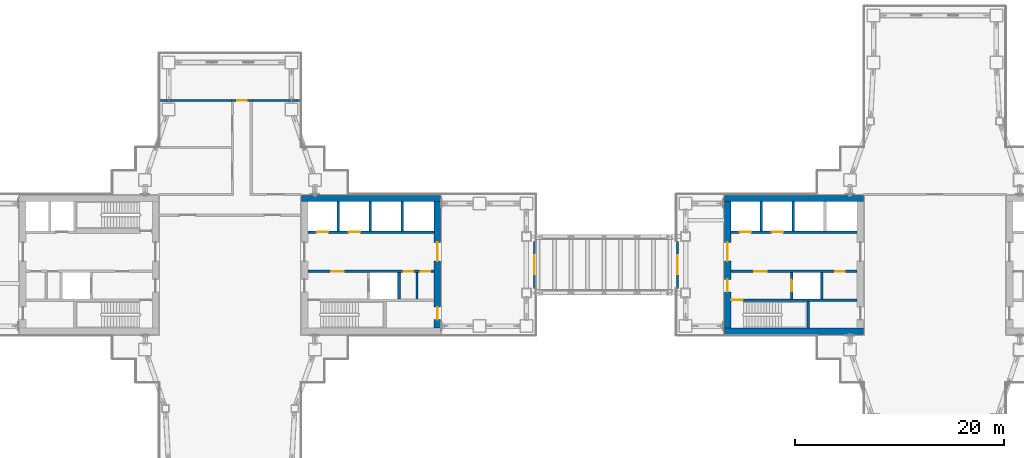
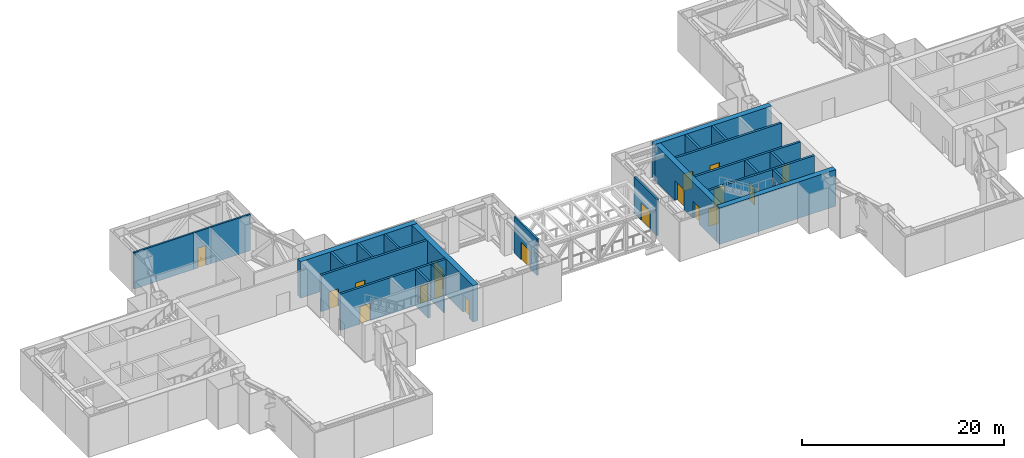
# One storey, part 11 of 21: 25 walls, 18 doors, 18 openings.
"""IFC4 building model written with IfcOpenShell, lengths in metres."""

import ifcopenshell
import ifcopenshell.guid

model = None  # the IFC model being written
_history = None  # IfcOwnerHistory: only IFC2X3 demands one
_inside = {}  # id of a spatial element -> (the spatial element, [elements in it])
_under = {}  # id of a project, library or spatial element -> (it, [spatial elements below it])
_declared = {}  # id of a project -> (the project, [libraries it declares])
_typed = {}  # id of a type object -> (the type object, [elements of that type])
_made_of = {}  # id of a material, layer set ... -> (it, [elements and type objects made of it])


def new_model(schema):
    """Start an empty IFC model of exactly this schema.

    Asked for "IFC4X3", IfcOpenShell would pick the latest addendum, in which some entities
    have other attributes; the version numbers below select the first issue.
    IFC2X3 requires an IfcOwnerHistory on every rooted entity: one is made here for all.
    """
    global model, _history
    if schema == "IFC4X3":
        model = ifcopenshell.file(schema_version=(4, 3, 0, 0))
    else:
        model = ifcopenshell.file(schema=schema)
    _inside.clear()
    _under.clear()
    _declared.clear()
    _typed.clear()
    _made_of.clear()
    _history = None
    if model.schema == "IFC2X3":
        org = make("IfcOrganization", Name="unknown")
        user = make(
            "IfcPersonAndOrganization",
            ThePerson=make("IfcPerson", FamilyName="unknown"),
            TheOrganization=org,
        )
        app = make(
            "IfcApplication",
            ApplicationDeveloper=org,
            Version="unknown",
            ApplicationFullName="unknown",
            ApplicationIdentifier="unknown",
        )
        _history = make(
            "IfcOwnerHistory",
            OwningUser=user,
            OwningApplication=app,
            ChangeAction="ADDED",
            CreationDate=0,
        )
    return model


def make(cls, **values):
    """One entity of the class cls with the attributes given. An attribute that is None is left unset."""
    return model.create_entity(
        cls, **{name: value for name, value in values.items() if value is not None}
    )


def rooted(cls, **values):
    """An entity with a GlobalId (a new one), such as an element, a storey or a relation."""
    return make(cls, GlobalId=ifcopenshell.guid.new(), OwnerHistory=_history, **values)


def si_unit(unit_type, name, prefix=None):
    """IfcSIUnit, for example si_unit("LENGTHUNIT", "METRE", prefix="MILLI")."""
    return make("IfcSIUnit", UnitType=unit_type, Prefix=prefix, Name=name)


def assignment(units):
    """IfcUnitAssignment: the units of a project."""
    return None if units is None else make("IfcUnitAssignment", Units=units)


def point(xyz):
    """IfcCartesianPoint."""
    return None if xyz is None else make("IfcCartesianPoint", Coordinates=xyz)


def direction(xyz):
    """IfcDirection."""
    return None if xyz is None else make("IfcDirection", DirectionRatios=xyz)


def frame(location, z_axis=None, x_axis=None):
    """IfcAxis2Placement3D, a coordinate frame: its origin and axes. An axis left out is left unset."""
    return make(
        "IfcAxis2Placement3D",
        Location=point(location),
        Axis=direction(z_axis),
        RefDirection=direction(x_axis),
    )


def frame_2d(location, x_axis=None):
    """IfcAxis2Placement2D, a coordinate frame in the plane: its origin and x axis."""
    return make(
        "IfcAxis2Placement2D", Location=point(location), RefDirection=direction(x_axis)
    )


def origin():
    """The frame at (0, 0, 0) with its axes left unset."""
    return frame((0.0, 0.0, 0.0))


def place(relative_to, where):
    """IfcLocalPlacement: puts the frame where relative to a parent placement (None: the world)."""
    return make(
        "IfcLocalPlacement", PlacementRelTo=relative_to, RelativePlacement=where
    )


def context(
    kind, dimensions, precision=None, world=None, true_north=None, identifier=None
):
    """IfcGeometricRepresentationContext, for example the 3D "Model" context."""
    return make(
        "IfcGeometricRepresentationContext",
        ContextIdentifier=identifier,
        ContextType=kind,
        CoordinateSpaceDimension=dimensions,
        Precision=precision,
        WorldCoordinateSystem=world,
        TrueNorth=true_north,
    )


def subcontext(parent, identifier, kind, view, scale=None):
    """IfcGeometricRepresentationSubContext, for example "Body" below "Model"."""
    return make(
        "IfcGeometricRepresentationSubContext",
        ContextIdentifier=identifier,
        ContextType=kind,
        ParentContext=parent,
        TargetScale=scale,
        TargetView=view,
    )


def project(units=None, contexts=None):
    """IfcProject with its units and contexts."""
    return rooted(
        "IfcProject",
        Name="project",
        RepresentationContexts=contexts,
        UnitsInContext=assignment(units),
    )


def spatial(cls, under=None, at=None, **own):
    """A site, building, storey or space (cls), placed at a placement, below another one or the project."""
    s = rooted(cls, ObjectPlacement=at, **own)
    if under is not None:
        _under.setdefault(under.id(), (under, []))[1].append(s)
    return s


def profile(cls, at=None, kind="AREA", **sizes):
    """A parametric profile (cls). Its sizes go by their IFC names, for example OverallWidth=200.0."""
    return make(cls, ProfileType=kind, Position=at, **sizes)


def rectangle(**sizes):
    """IfcRectangleProfileDef."""
    return profile("IfcRectangleProfileDef", **sizes)


def extrude(swept, where, along, depth):
    """IfcExtrudedAreaSolid: the profile swept, set in the frame where, extruded along a direction by depth."""
    return make(
        "IfcExtrudedAreaSolid",
        SweptArea=swept,
        Position=where,
        ExtrudedDirection=direction(along),
        Depth=depth,
    )


def shape(context_of_items, identifier, shape_type, items):
    """IfcShapeRepresentation: the items that make up one representation, for example the "Body"."""
    return make(
        "IfcShapeRepresentation",
        ContextOfItems=context_of_items,
        RepresentationIdentifier=identifier,
        RepresentationType=shape_type,
        Items=items,
    )


def material(Name=None, Category=None):
    """IfcMaterial."""
    return make("IfcMaterial", Name=Name, Category=Category)


def layer(
    of_material, thickness, ventilated=None, Name=None, Category=None, Priority=None
):
    """IfcMaterialLayer: one layer of a wall or slab, of a material (None: an air gap)."""
    return make(
        "IfcMaterialLayer",
        Material=of_material,
        LayerThickness=thickness,
        IsVentilated=ventilated,
        Name=Name,
        Category=Category,
        Priority=Priority,
    )


def layer_set(layers, Name=None):
    """IfcMaterialLayerSet."""
    return make("IfcMaterialLayerSet", MaterialLayers=layers, LayerSetName=Name)


def made_of(thing, what):
    """Note that an element or type object is made of a material, layer set ...; save() writes the relation."""
    if what is not None:
        _made_of.setdefault(what.id(), (what, []))[1].append(thing)
    return thing


def type_object(cls, material=None, **own):
    """A type object (cls), such as IfcWallType, which elements share."""
    return made_of(rooted(cls, **own), material)


def element(
    cls,
    number,
    at=None,
    inside=None,
    cuts=None,
    type_object=None,
    material=None,
    context=None,
    identifier="Body",
    shape_type=None,
    held_by="IfcProductDefinitionShape",
    body=None,
    shapes=None,
    **own,
):
    """One element of the class cls, such as IfcWall. Its Tag is "e" and its number.

    at: its placement. inside: the storey or other place that contains it. cuts: it is an
    opening in that element (IfcRelVoidsElement). A single representation is given by context,
    identifier, shape_type and body (its items); several are given by shapes. held_by: the class
    of the entity that holds the representations. save() writes the other relations.
    """
    e = rooted(cls, Tag="e%d" % number, ObjectPlacement=at, **own)
    if body is not None:
        shapes = [shape(context, identifier, shape_type, body)]
    if shapes is not None:
        e.Representation = make(held_by, Representations=shapes)
    if inside is not None:
        _inside.setdefault(inside.id(), (inside, []))[1].append(e)
    if cuts is not None:
        rooted(
            "IfcRelVoidsElement", RelatingBuildingElement=cuts, RelatedOpeningElement=e
        )
    if type_object is not None:
        _typed.setdefault(type_object.id(), (type_object, []))[1].append(e)
    return made_of(e, material)


def fill(opening, filler):
    """IfcRelFillsElement: the door or window that sits in an opening."""
    return rooted(
        "IfcRelFillsElement",
        RelatingOpeningElement=opening,
        RelatedBuildingElement=filler,
    )


def aggregate(whole, parts):
    """IfcRelAggregates: a whole, such as a stair, and the parts it consists of."""
    return rooted("IfcRelAggregates", RelatingObject=whole, RelatedObjects=parts)


def save(model, path):
    """Write the relations noted so far, then the file.

    IfcRelAggregates (storeys below a building ...), IfcRelContainedInSpatialStructure (elements
    in a storey), IfcRelDefinesByType, IfcRelAssociatesMaterial and IfcRelDeclares: one each for
    every whole, place, type object, material and project.
    """
    for whole, parts in _under.values():
        aggregate(whole, parts)
    for where, things in _inside.values():
        rooted(
            "IfcRelContainedInSpatialStructure",
            RelatedElements=things,
            RelatingStructure=where,
        )
    for kind, things in _typed.values():
        rooted("IfcRelDefinesByType", RelatedObjects=things, RelatingType=kind)
    for what, things in _made_of.values():
        rooted("IfcRelAssociatesMaterial", RelatedObjects=things, RelatingMaterial=what)
    for by, libraries in _declared.values():
        rooted("IfcRelDeclares", RelatingContext=by, RelatedDefinitions=libraries)
    model.write(path)


model = new_model("IFC4")

# Units and contexts
model_context = context("Model", 3, precision=1e-05, world=origin(), true_north=direction((0.0, 1.0)))
body_context = subcontext(model_context, "Body", "Model", "MODEL_VIEW")
ifc_project = project(units=[si_unit("LENGTHUNIT", "METRE"), si_unit("AREAUNIT", "SQUARE_METRE"), si_unit("VOLUMEUNIT", "CUBIC_METRE"), si_unit("PLANEANGLEUNIT", "RADIAN"), si_unit("MASSUNIT", "GRAM", prefix="KILO")], contexts=[model_context])

# Site, building, storey
site_placement = place(None, origin())
site = spatial("IfcSite", under=ifc_project, at=site_placement, CompositionType="ELEMENT")
building_placement = place(site_placement, origin())
building = spatial("IfcBuilding", under=site, at=building_placement, Name="Shamsa Quay Exchange Towers", CompositionType="ELEMENT")
storey_placement = place(building_placement, frame((0.0, 0.0, 128.699951171875)))
storey = spatial("IfcBuildingStorey", under=building, at=storey_placement, Name="L30", CompositionType="ELEMENT", Elevation=128.699951171875)

# Wall
ifc_material_1 = material(Name="Concrete C70/85", Category="concrete")
ifc_layer_1 = layer(ifc_material_1, 0.60009765625)
ifc_layer_set_1 = layer_set([ifc_layer_1], Name="CORE WALL 600 C70/85")
wall_type_1 = type_object("IfcWallType", Name="CORE WALL 600 C70/85", PredefinedType="SHEAR", material=ifc_layer_set_1)
wall_1_placement = place(storey_placement, frame((-26.89990234375, 6.35009765625, 0.0)))
element("IfcWall", 1, at=wall_1_placement, inside=storey, type_object=wall_type_1, Name="Core wall T1A-L30-PN", PredefinedType="SHEAR", context=body_context, shape_type="SweptSolid", body=[
    extrude(rectangle(XDim=13.2998046875, YDim=0.60009765625, at=frame_2d((6.64990234375, 0.0))), origin(), (0.0, 0.0, 1.0), 4.400146484375),
])

# Wall, openings, doors
wall_2_placement = place(storey_placement, frame((-13.89990234375, 6.050048828125, 0.0), z_axis=(0.0, 0.0, 1.0), x_axis=(0.0, -1.0, 0.0)))
wall_2 = element("IfcWall", 2, at=wall_2_placement, inside=storey, type_object=wall_type_1, Name="Core wall T1A-L30-PB", PredefinedType="SHEAR", context=body_context, shape_type="SweptSolid", body=[
    extrude(rectangle(XDim=12.10009765625, YDim=0.60009765625, at=frame_2d((6.050048828125, 0.0))), origin(), (0.0, 0.0, 1.0), 4.400146484375),
])
opening_1_placement = place(wall_2_placement, frame((10.10009765625, 0.0, 0.0)))
opening_1 = element("IfcOpeningElement", 3, at=opening_1_placement, cuts=wall_2, Name="Opening T1A-L30-RD03", PredefinedType="OPENING", context=body_context, shape_type="SweptSolid", body=[
    extrude(rectangle(XDim=1.199951171875, YDim=2.10009765625, at=frame_2d((0.60009765625, 1.050048828125))), frame((0.0, 0.31005859375, 0.0), z_axis=(0.0, -1.0, 0.0), x_axis=(1.0, 0.0, 0.0)), (0.0, 0.0, 1.0), 0.6201171875),
])
opening_2_placement = place(wall_2_placement, frame((3.89990234375, 0.0, 0.0)))
opening_2 = element("IfcOpeningElement", 4, at=opening_2_placement, cuts=wall_2, Name="Opening T1A-L30-LBD04", PredefinedType="OPENING", context=body_context, shape_type="SweptSolid", body=[
    extrude(rectangle(XDim=1.800048828125, YDim=2.39990234375, at=frame_2d((0.89990234375, 1.199951171875))), frame((0.0, 0.31005859375, 0.0), z_axis=(0.0, -1.0, 0.0), x_axis=(1.0, 0.0, 0.0)), (0.0, 0.0, 1.0), 0.6201171875),
])
ifc_material_2 = material(Name="Steel, fire rated", Category="steel")
door_type_1 = type_object("IfcDoorType", Name="LIFT LOBBY DOOR PAIR 1800", OperationType="DOUBLE_DOOR_SINGLE_SWING", PredefinedType="DOOR", material=ifc_material_2)
door_1_placement = place(opening_2_placement, origin())
door_1 = element("IfcDoor", 5, at=door_1_placement, inside=storey, type_object=door_type_1, Name="T1A-L30-LBD04", OperationType="DOUBLE_DOOR_SINGLE_SWING", OverallHeight=2.39990234375, OverallWidth=1.800048828125, PredefinedType="DOOR", context=body_context, shape_type="SweptSolid", body=[
    extrude(rectangle(XDim=1.800048828125, YDim=2.39990234375, at=frame_2d((0.89990234375, 1.199951171875))), frame((0.0, 0.02490234375, 0.0), z_axis=(0.0, -1.0, 0.0), x_axis=(1.0, 0.0, 0.0)), (0.0, 0.0, 1.0), 0.050048828125),
])
fill(opening_2, door_1)
door_type_2 = type_object("IfcDoorType", Name="RISER ACCESS DOOR 1200", OperationType="SINGLE_SWING_LEFT", PredefinedType="DOOR", material=ifc_material_2)
door_2_placement = place(opening_1_placement, origin())
door_2 = element("IfcDoor", 6, at=door_2_placement, inside=storey, type_object=door_type_2, Name="T1A-L30-RD03", OperationType="SINGLE_SWING_RIGHT", OverallHeight=2.10009765625, OverallWidth=1.199951171875, PredefinedType="DOOR", context=body_context, shape_type="SweptSolid", body=[
    extrude(rectangle(XDim=1.199951171875, YDim=2.10009765625, at=frame_2d((0.60009765625, 1.050048828125))), frame((0.0, 0.02490234375, 0.0), z_axis=(0.0, -1.0, 0.0), x_axis=(1.0, 0.0, 0.0)), (0.0, 0.0, 1.0), 0.050048828125),
])
fill(opening_1, door_2)

# Walls
for number, where, name in (
    (7, (13.60009765625, -6.35009765625, 0.0), "Core wall T2A-L30-PS"),
    (8, (13.60009765625, 6.35009765625, 0.0), "Core wall T2A-L30-PN"),
):
    element("IfcWall", number, at=place(storey_placement, frame(where)), inside=storey, type_object=wall_type_1, Name=name, PredefinedType="SHEAR", context=body_context, shape_type="SweptSolid", body=[
        extrude(rectangle(XDim=13.2998046875, YDim=0.60009765625, at=frame_2d((6.64990234375, 0.0))), origin(), (0.0, 0.0, 1.0), 4.400146484375),
    ])

# Wall, openings, doors
wall_3_placement = place(storey_placement, frame((13.89990234375, 6.050048828125, 0.0), z_axis=(0.0, 0.0, 1.0), x_axis=(0.0, -1.0, 0.0)))
wall_3 = element("IfcWall", 9, at=wall_3_placement, inside=storey, type_object=wall_type_1, Name="Core wall T2A-L30-PF", PredefinedType="SHEAR", context=body_context, shape_type="SweptSolid", body=[
    extrude(rectangle(XDim=12.10009765625, YDim=0.60009765625, at=frame_2d((6.050048828125, 0.0))), origin(), (0.0, 0.0, 1.0), 4.400146484375),
])
opening_3_placement = place(wall_3_placement, frame((7.449951171875, 0.0, 0.0)))
opening_3 = element("IfcOpeningElement", 10, at=opening_3_placement, cuts=wall_3, Name="Opening T2A-L30-FD01", PredefinedType="OPENING", context=body_context, shape_type="SweptSolid", body=[
    extrude(rectangle(XDim=1.199951171875, YDim=2.10009765625, at=frame_2d((0.60009765625, 1.050048828125))), frame((0.0, 0.31005859375, 0.0), z_axis=(0.0, -1.0, 0.0), x_axis=(1.0, 0.0, 0.0)), (0.0, 0.0, 1.0), 0.6201171875),
])
opening_4_placement = place(wall_3_placement, frame((3.89990234375, 0.0, 0.0)))
opening_4 = element("IfcOpeningElement", 11, at=opening_4_placement, cuts=wall_3, Name="Opening T2A-L30-LBD02", PredefinedType="OPENING", context=body_context, shape_type="SweptSolid", body=[
    extrude(rectangle(XDim=1.800048828125, YDim=2.39990234375, at=frame_2d((0.89990234375, 1.199951171875))), frame((0.0, 0.31005859375, 0.0), z_axis=(0.0, -1.0, 0.0), x_axis=(1.0, 0.0, 0.0)), (0.0, 0.0, 1.0), 0.6201171875),
])
door_type_3 = type_object("IfcDoorType", Name="FIRE SERVICE LOBBY DOOR 1200", OperationType="SINGLE_SWING_LEFT", PredefinedType="DOOR", material=ifc_material_2)
door_3_placement = place(opening_3_placement, origin())
door_3 = element("IfcDoor", 12, at=door_3_placement, inside=storey, type_object=door_type_3, Name="T2A-L30-FD01", OperationType="SINGLE_SWING_RIGHT", OverallHeight=2.10009765625, OverallWidth=1.199951171875, PredefinedType="DOOR", context=body_context, shape_type="SweptSolid", body=[
    extrude(rectangle(XDim=1.199951171875, YDim=2.10009765625, at=frame_2d((0.60009765625, 1.050048828125))), frame((0.0, 0.02490234375, 0.0), z_axis=(0.0, -1.0, 0.0), x_axis=(1.0, 0.0, 0.0)), (0.0, 0.0, 1.0), 0.050048828125),
])
fill(opening_3, door_3)
door_4_placement = place(opening_4_placement, origin())
door_4 = element("IfcDoor", 13, at=door_4_placement, inside=storey, type_object=door_type_1, Name="T2A-L30-LBD02", OperationType="DOUBLE_DOOR_SINGLE_SWING", OverallHeight=2.39990234375, OverallWidth=1.800048828125, PredefinedType="DOOR", context=body_context, shape_type="SweptSolid", body=[
    extrude(rectangle(XDim=1.800048828125, YDim=2.39990234375, at=frame_2d((0.89990234375, 1.199951171875))), frame((0.0, 0.02490234375, 0.0), z_axis=(0.0, -1.0, 0.0), x_axis=(1.0, 0.0, 0.0)), (0.0, 0.0, 1.0), 0.050048828125),
])
fill(opening_4, door_4)

# Wall
ifc_material_3 = material(Name="Gypsum board on steel studs, EI 60", Category="steel")
ifc_layer_2 = layer(ifc_material_3, 0.14990234375)
ifc_layer_set_2 = layer_set([ifc_layer_2], Name="FIRE PARTITION 150")
wall_type_2 = type_object("IfcWallType", Name="FIRE PARTITION 150", PredefinedType="PARTITIONING", material=ifc_layer_set_2)
wall_4_placement = place(storey_placement, frame((-15.85009765625, -3.25, 0.0), z_axis=(0.0, 0.0, 1.0), x_axis=(0.0, 1.0, 0.0)))
element("IfcWall", 14, at=wall_4_placement, inside=storey, type_object=wall_type_2, Name="Partition T1A-L30-EC0", PredefinedType="PARTITIONING", context=body_context, shape_type="SweptSolid", body=[
    extrude(rectangle(XDim=2.5, YDim=0.14990234375, at=frame_2d((1.25, 0.0))), origin(), (0.0, 0.0, 1.0), 4.400146484375),
])

# Wall, opening, door
ifc_material_4 = material(Name="Gypsum board partition on metal studs")
ifc_layer_3 = layer(ifc_material_4, 0.199951171875)
ifc_layer_set_3 = layer_set([ifc_layer_3], Name="Partition 200 mm EI 120")
wall_type_3 = type_object("IfcWallType", Name="Partition 200 mm EI 120", PredefinedType="PARTITIONING", material=ifc_layer_set_3)
wall_5_placement = place(storey_placement, frame((-33.62548828125, 15.75, 0.0)))
wall_5 = element("IfcWall", 15, at=wall_5_placement, inside=storey, type_object=wall_type_3, Name="Partition T1-L30-W06", PredefinedType="PARTITIONING", context=body_context, shape_type="SweptSolid", body=[
    extrude(rectangle(XDim=2.0009765625, YDim=0.199951171875, at=frame_2d((1.00048828125, 0.0))), origin(), (0.0, 0.0, 1.0), 4.400146484375),
])
opening_5_placement = place(wall_5_placement, frame((0.55029296875, 0.0, 0.0)))
opening_5 = element("IfcOpeningElement", 16, at=opening_5_placement, cuts=wall_5, Name="Opening T1-L30-D05", PredefinedType="OPENING", context=body_context, shape_type="SweptSolid", body=[
    extrude(rectangle(XDim=0.89990234375, YDim=2.39990234375, at=frame_2d((0.449951171875, 1.199951171875))), frame((0.0, 0.10986328125, 0.0), z_axis=(0.0, -1.0, 0.0), x_axis=(1.0, 0.0, 0.0)), (0.0, 0.0, 1.0), 0.219970703125),
])
ifc_material_5 = material(Name="Timber door leaf in a metal frame", Category="wood")
door_type_4 = type_object("IfcDoorType", Name="Door 900x2400 FD60", OperationType="NOTDEFINED", PredefinedType="DOOR", material=ifc_material_5)
door_5_placement = place(opening_5_placement, origin())
door_5 = element("IfcDoor", 17, at=door_5_placement, inside=storey, type_object=door_type_4, Name="Door T1-L30-D05", OperationType="SINGLE_SWING_RIGHT", OverallHeight=2.39990234375, OverallWidth=0.89990234375, PredefinedType="DOOR", context=body_context, shape_type="SweptSolid", body=[
    extrude(rectangle(XDim=0.89990234375, YDim=2.39990234375, at=frame_2d((0.449951171875, 1.199951171875))), frame((0.0, 0.02490234375, 0.0), z_axis=(0.0, -1.0, 0.0), x_axis=(1.0, 0.0, 0.0)), (0.0, 0.0, 1.0), 0.050048828125),
])
fill(opening_5, door_5)

# Walls
wall_6_placement = place(storey_placement, frame((-27.094970703125, 15.75, 0.0), z_axis=(0.0, 0.0, 1.0), x_axis=(-1.0, 0.0, 0.0)))
element("IfcWall", 18, at=wall_6_placement, inside=storey, type_object=wall_type_3, Name="Partition T1-L30-W07", PredefinedType="PARTITIONING", context=body_context, shape_type="SweptSolid", body=[
    extrude(rectangle(XDim=4.729736328125, YDim=0.199951171875, at=frame_2d((2.36474609375, 0.0))), origin(), (0.0, 0.0, 1.0), 4.400146484375),
])
wall_7_placement = place(storey_placement, frame((-33.42529296875, 15.75, 0.0), z_axis=(0.0, 0.0, 1.0), x_axis=(-1.0, 0.0, 0.0)))
element("IfcWall", 19, at=wall_7_placement, inside=storey, type_object=wall_type_3, Name="Partition T1-L30-W08", PredefinedType="PARTITIONING", context=body_context, shape_type="SweptSolid", body=[
    extrude(rectangle(XDim=6.979736328125, YDim=0.199951171875, at=frame_2d((3.48974609375, 0.0))), origin(), (0.0, 0.0, 1.0), 4.400146484375),
])

# Wall, opening, door
ifc_material_6 = material(Name="Fire-rated masonry and board wall", Category="masonry")
ifc_layer_4 = layer(ifc_material_6, 0.199951171875)
ifc_layer_set_4 = layer_set([ifc_layer_4], Name="Portal wall 200 mm EI 120")
wall_type_4 = type_object("IfcWallType", Name="Portal wall 200 mm EI 120", PredefinedType="PARTITIONING", material=ifc_layer_set_4)
wall_8_placement = place(storey_placement, frame((-4.60009765625, -2.25, 0.0), z_axis=(0.0, 0.0, 1.0), x_axis=(0.0, 1.0, 0.0)))
wall_8 = element("IfcWall", 20, at=wall_8_placement, inside=storey, type_object=wall_type_4, Name="Portal wall T1-L30-W10", PredefinedType="PARTITIONING", context=body_context, shape_type="SweptSolid", body=[
    extrude(rectangle(XDim=4.5, YDim=0.199951171875, at=frame_2d((2.25, 0.0))), origin(), (0.0, 0.0, 1.0), 4.400146484375),
])
opening_6_placement = place(wall_8_placement, frame((1.35009765625, 0.0, 0.0)))
opening_6 = element("IfcOpeningElement", 21, at=opening_6_placement, cuts=wall_8, Name="Opening T1-L30-D07", PredefinedType="OPENING", context=body_context, shape_type="SweptSolid", body=[
    extrude(rectangle(XDim=1.800048828125, YDim=2.10009765625, at=frame_2d((0.89990234375, 1.050048828125))), frame((0.0, 0.10986328125, 0.0), z_axis=(0.0, -1.0, 0.0), x_axis=(1.0, 0.0, 0.0)), (0.0, 0.0, 1.0), 0.219970703125),
])
door_type_5 = type_object("IfcDoorType", Name="Door 1800x2100 FD90 pair", OperationType="NOTDEFINED", PredefinedType="DOOR", material=ifc_material_5)
door_6_placement = place(opening_6_placement, origin())
door_6 = element("IfcDoor", 22, at=door_6_placement, inside=storey, type_object=door_type_5, Name="Door T1-L30-D07", OperationType="DOUBLE_DOOR_SINGLE_SWING", OverallHeight=2.10009765625, OverallWidth=1.800048828125, PredefinedType="DOOR", context=body_context, shape_type="SweptSolid", body=[
    extrude(rectangle(XDim=1.800048828125, YDim=2.10009765625, at=frame_2d((0.89990234375, 1.050048828125))), frame((0.0, 0.02490234375, 0.0), z_axis=(0.0, -1.0, 0.0), x_axis=(1.0, 0.0, 0.0)), (0.0, 0.0, 1.0), 0.050048828125),
])
fill(opening_6, door_6)

wall_9_placement = place(storey_placement, frame((9.10009765625, 2.25, 0.0), z_axis=(0.0, 0.0, 1.0), x_axis=(0.0, -1.0, 0.0)))
wall_9 = element("IfcWall", 23, at=wall_9_placement, inside=storey, type_object=wall_type_4, Name="Portal wall T2-L30-W02", PredefinedType="PARTITIONING", context=body_context, shape_type="SweptSolid", body=[
    extrude(rectangle(XDim=4.5, YDim=0.199951171875, at=frame_2d((2.25, 0.0))), origin(), (0.0, 0.0, 1.0), 4.400146484375),
])
opening_7_placement = place(wall_9_placement, frame((1.35009765625, 0.0, 0.0)))
opening_7 = element("IfcOpeningElement", 24, at=opening_7_placement, cuts=wall_9, Name="Opening T2-L30-D02", PredefinedType="OPENING", context=body_context, shape_type="SweptSolid", body=[
    extrude(rectangle(XDim=1.800048828125, YDim=2.10009765625, at=frame_2d((0.89990234375, 1.050048828125))), frame((0.0, 0.10986328125, 0.0), z_axis=(0.0, -1.0, 0.0), x_axis=(1.0, 0.0, 0.0)), (0.0, 0.0, 1.0), 0.219970703125),
])
door_7_placement = place(opening_7_placement, origin())
door_7 = element("IfcDoor", 25, at=door_7_placement, inside=storey, type_object=door_type_5, Name="Door T2-L30-D02", OperationType="DOUBLE_DOOR_SINGLE_SWING", OverallHeight=2.10009765625, OverallWidth=1.800048828125, PredefinedType="DOOR", context=body_context, shape_type="SweptSolid", body=[
    extrude(rectangle(XDim=1.800048828125, YDim=2.10009765625, at=frame_2d((0.89990234375, 1.050048828125))), frame((0.0, 0.02490234375, 0.0), z_axis=(0.0, -1.0, 0.0), x_axis=(1.0, 0.0, 0.0)), (0.0, 0.0, 1.0), 0.050048828125),
])
fill(opening_7, door_7)

# Wall, openings, doors
ifc_material_7 = material(Name="Concrete C50/60", Category="concrete")
ifc_layer_5 = layer(ifc_material_7, 0.25)
ifc_layer_set_5 = layer_set([ifc_layer_5], Name="SHAFT WALL 250 C50/60")
wall_type_5 = type_object("IfcWallType", Name="SHAFT WALL 250 C50/60", PredefinedType="SHEAR", material=ifc_layer_set_5)
wall_10_placement = place(storey_placement, frame((-14.199951171875, -0.625, 0.0), z_axis=(0.0, 0.0, 1.0), x_axis=(-1.0, 0.0, 0.0)))
wall_10 = element("IfcWall", 26, at=wall_10_placement, inside=storey, type_object=wall_type_5, Name="Shaft wall T1A-L30-B", PredefinedType="SHEAR", context=body_context, shape_type="SweptSolid", body=[
    extrude(rectangle(XDim=12.10009765625, YDim=0.25, at=frame_2d((6.050048828125, 0.0))), origin(), (0.0, 0.0, 1.0), 4.400146484375),
])
opening_8_placement = place(wall_10_placement, frame((8.64990234375, 0.0, 0.0)))
opening_8 = element("IfcOpeningElement", 27, at=opening_8_placement, cuts=wall_10, Name="Opening T1A-L30-FD06", PredefinedType="OPENING", context=body_context, shape_type="SweptSolid", body=[
    extrude(rectangle(XDim=1.199951171875, YDim=2.10009765625, at=frame_2d((0.60009765625, 1.050048828125))), frame((0.0, 0.135009765625, 0.0), z_axis=(0.0, -1.0, 0.0), x_axis=(1.0, 0.0, 0.0)), (0.0, 0.0, 1.0), 0.27001953125),
])
opening_9_placement = place(wall_10_placement, frame((2.0, 0.0, 0.0)))
opening_9 = element("IfcOpeningElement", 28, at=opening_9_placement, cuts=wall_10, Name="Opening T1A-L30-SV07", PredefinedType="OPENING", context=body_context, shape_type="SweptSolid", body=[
    extrude(rectangle(XDim=0.89990234375, YDim=2.10009765625, at=frame_2d((0.449951171875, 1.050048828125))), frame((0.0, 0.135009765625, 0.0), z_axis=(0.0, -1.0, 0.0), x_axis=(1.0, 0.0, 0.0)), (0.0, 0.0, 1.0), 0.27001953125),
])
opening_10_placement = place(wall_10_placement, frame((0.375, 0.0, 0.0)))
opening_10 = element("IfcOpeningElement", 29, at=opening_10_placement, cuts=wall_10, Name="Opening T1A-L30-SV08", PredefinedType="OPENING", context=body_context, shape_type="SweptSolid", body=[
    extrude(rectangle(XDim=0.89990234375, YDim=2.10009765625, at=frame_2d((0.449951171875, 1.050048828125))), frame((0.0, 0.135009765625, 0.0), z_axis=(0.0, -1.0, 0.0), x_axis=(1.0, 0.0, 0.0)), (0.0, 0.0, 1.0), 0.27001953125),
])
door_8_placement = place(opening_8_placement, origin())
door_8 = element("IfcDoor", 30, at=door_8_placement, inside=storey, type_object=door_type_3, Name="T1A-L30-FD06", OperationType="SINGLE_SWING_RIGHT", OverallHeight=2.10009765625, OverallWidth=1.199951171875, PredefinedType="DOOR", context=body_context, shape_type="SweptSolid", body=[
    extrude(rectangle(XDim=1.199951171875, YDim=2.10009765625, at=frame_2d((0.60009765625, 1.050048828125))), frame((0.0, 0.02490234375, 0.0), z_axis=(0.0, -1.0, 0.0), x_axis=(1.0, 0.0, 0.0)), (0.0, 0.0, 1.0), 0.050048828125),
])
fill(opening_8, door_8)
door_type_6 = type_object("IfcDoorType", Name="SERVICE ROOM DOOR 900", OperationType="SINGLE_SWING_LEFT", PredefinedType="DOOR", material=ifc_material_2)
door_9_placement = place(opening_9_placement, origin())
door_9 = element("IfcDoor", 31, at=door_9_placement, inside=storey, type_object=door_type_6, Name="T1A-L30-SV07", OperationType="SINGLE_SWING_LEFT", OverallHeight=2.10009765625, OverallWidth=0.89990234375, PredefinedType="DOOR", context=body_context, shape_type="SweptSolid", body=[
    extrude(rectangle(XDim=0.89990234375, YDim=2.10009765625, at=frame_2d((0.449951171875, 1.050048828125))), frame((0.0, 0.02490234375, 0.0), z_axis=(0.0, -1.0, 0.0), x_axis=(1.0, 0.0, 0.0)), (0.0, 0.0, 1.0), 0.050048828125),
])
fill(opening_9, door_9)
door_10_placement = place(opening_10_placement, origin())
door_10 = element("IfcDoor", 32, at=door_10_placement, inside=storey, type_object=door_type_6, Name="T1A-L30-SV08", OperationType="SINGLE_SWING_LEFT", OverallHeight=2.10009765625, OverallWidth=0.89990234375, PredefinedType="DOOR", context=body_context, shape_type="SweptSolid", body=[
    extrude(rectangle(XDim=0.89990234375, YDim=2.10009765625, at=frame_2d((0.449951171875, 1.050048828125))), frame((0.0, 0.02490234375, 0.0), z_axis=(0.0, -1.0, 0.0), x_axis=(1.0, 0.0, 0.0)), (0.0, 0.0, 1.0), 0.050048828125),
])
fill(opening_10, door_10)

# Wall
wall_11_placement = place(storey_placement, frame((-17.574951171875, -3.25, 0.0), z_axis=(0.0, 0.0, 1.0), x_axis=(0.0, 1.0, 0.0)))
element("IfcWall", 33, at=wall_11_placement, inside=storey, type_object=wall_type_5, Name="Shaft wall T1A-L30-FFB", PredefinedType="SHEAR", context=body_context, shape_type="SweptSolid", body=[
    extrude(rectangle(XDim=2.5, YDim=0.25, at=frame_2d((1.25, 0.0))), origin(), (0.0, 0.0, 1.0), 4.400146484375),
])

# Wall, openings, doors
wall_12_placement = place(storey_placement, frame((-26.300048828125, 3.125, 0.0)))
wall_12 = element("IfcWall", 34, at=wall_12_placement, inside=storey, type_object=wall_type_5, Name="Shaft wall T1A-L30-N", PredefinedType="SHEAR", context=body_context, shape_type="SweptSolid", body=[
    extrude(rectangle(XDim=12.10009765625, YDim=0.25, at=frame_2d((6.050048828125, 0.0))), origin(), (0.0, 0.0, 1.0), 4.400146484375),
])
opening_11_placement = place(wall_12_placement, frame((0.85009765625, 0.0, 0.0)))
opening_11 = element("IfcOpeningElement", 35, at=opening_11_placement, cuts=wall_12, Name="Opening T1A-L30-LD10", PredefinedType="OPENING", context=body_context, shape_type="SweptSolid", body=[
    extrude(rectangle(XDim=1.10009765625, YDim=2.10009765625, at=frame_2d((0.550048828125, 1.050048828125))), frame((0.0, 0.135009765625, 0.0), z_axis=(0.0, -1.0, 0.0), x_axis=(1.0, 0.0, 0.0)), (0.0, 0.0, 1.0), 0.27001953125),
])
opening_12_placement = place(wall_12_placement, frame((3.89990234375, 0.0, 0.0)))
opening_12 = element("IfcOpeningElement", 36, at=opening_12_placement, cuts=wall_12, Name="Opening T1A-L30-LD11", PredefinedType="OPENING", context=body_context, shape_type="SweptSolid", body=[
    extrude(rectangle(XDim=1.10009765625, YDim=2.10009765625, at=frame_2d((0.550048828125, 1.050048828125))), frame((0.0, 0.135009765625, 0.0), z_axis=(0.0, -1.0, 0.0), x_axis=(1.0, 0.0, 0.0)), (0.0, 0.0, 1.0), 0.27001953125),
])
door_type_7 = type_object("IfcDoorType", Name="LANDING DOOR 1100", OperationType="SLIDING_TO_LEFT", PredefinedType="DOOR", material=ifc_material_2)
door_11_placement = place(opening_11_placement, origin())
door_11 = element("IfcDoor", 37, at=door_11_placement, inside=storey, type_object=door_type_7, Name="T1A-L30-LD10", OperationType="SLIDING_TO_LEFT", OverallHeight=2.10009765625, OverallWidth=1.10009765625, PredefinedType="DOOR", context=body_context, shape_type="SweptSolid", body=[
    extrude(rectangle(XDim=1.10009765625, YDim=2.10009765625, at=frame_2d((0.550048828125, 1.050048828125))), frame((0.0, 0.02490234375, 0.0), z_axis=(0.0, -1.0, 0.0), x_axis=(1.0, 0.0, 0.0)), (0.0, 0.0, 1.0), 0.050048828125),
])
fill(opening_11, door_11)
door_12_placement = place(opening_12_placement, origin())
door_12 = element("IfcDoor", 38, at=door_12_placement, inside=storey, type_object=door_type_7, Name="T1A-L30-LD11", OperationType="SLIDING_TO_LEFT", OverallHeight=2.10009765625, OverallWidth=1.10009765625, PredefinedType="DOOR", context=body_context, shape_type="SweptSolid", body=[
    extrude(rectangle(XDim=1.10009765625, YDim=2.10009765625, at=frame_2d((0.550048828125, 1.050048828125))), frame((0.0, 0.02490234375, 0.0), z_axis=(0.0, -1.0, 0.0), x_axis=(1.0, 0.0, 0.0)), (0.0, 0.0, 1.0), 0.050048828125),
])
fill(opening_12, door_12)

# Walls
for number, where, z_axis, x_axis, name in (
    (39, (-23.375, 3.25, 0.0), (0.0, 0.0, 1.0), (0.0, 1.0, 0.0), "Shaft wall T1A-L30-D0"),
    (40, (-20.324951171875, 3.25, 0.0), (0.0, 0.0, 1.0), (0.0, 1.0, 0.0), "Shaft wall T1A-L30-D1"),
    (41, (-17.27490234375, 3.25, 0.0), (0.0, 0.0, 1.0), (0.0, 1.0, 0.0), "Shaft wall T1A-L30-D2"),
):
    element("IfcWall", number, at=place(storey_placement, frame(where, z_axis=z_axis, x_axis=x_axis)), inside=storey, type_object=wall_type_5, Name=name, PredefinedType="SHEAR", context=body_context, shape_type="SweptSolid", body=[
        extrude(rectangle(XDim=2.800048828125, YDim=0.25, at=frame_2d((1.39990234375, 0.0))), origin(), (0.0, 0.0, 1.0), 4.400146484375),
    ])

# Wall, opening, door
wall_13_placement = place(storey_placement, frame((26.300048828125, -3.375, 0.0), z_axis=(0.0, 0.0, 1.0), x_axis=(-1.0, 0.0, 0.0)))
wall_13 = element("IfcWall", 42, at=wall_13_placement, inside=storey, type_object=wall_type_5, Name="Shaft wall T2A-L30-STL", PredefinedType="SHEAR", context=body_context, shape_type="SweptSolid", body=[
    extrude(rectangle(XDim=12.10009765625, YDim=0.25, at=frame_2d((6.050048828125, 0.0))), origin(), (0.0, 0.0, 1.0), 4.400146484375),
])
opening_13_placement = place(wall_13_placement, frame((10.949951171875, 0.0, 0.0)))
opening_13 = element("IfcOpeningElement", 43, at=opening_13_placement, cuts=wall_13, Name="Opening T2A-L30-SD05", PredefinedType="OPENING", context=body_context, shape_type="SweptSolid", body=[
    extrude(rectangle(XDim=1.10009765625, YDim=2.10009765625, at=frame_2d((0.550048828125, 1.050048828125))), frame((0.0, 0.135009765625, 0.0), z_axis=(0.0, -1.0, 0.0), x_axis=(1.0, 0.0, 0.0)), (0.0, 0.0, 1.0), 0.27001953125),
])
door_type_8 = type_object("IfcDoorType", Name="STAIR DOOR 1100", OperationType="SINGLE_SWING_LEFT", PredefinedType="DOOR", material=ifc_material_2)
door_13_placement = place(opening_13_placement, origin())
door_13 = element("IfcDoor", 44, at=door_13_placement, inside=storey, type_object=door_type_8, Name="T2A-L30-SD05", OperationType="SINGLE_SWING_RIGHT", OverallHeight=2.10009765625, OverallWidth=1.10009765625, PredefinedType="DOOR", context=body_context, shape_type="SweptSolid", body=[
    extrude(rectangle(XDim=1.10009765625, YDim=2.10009765625, at=frame_2d((0.550048828125, 1.050048828125))), frame((0.0, 0.02490234375, 0.0), z_axis=(0.0, -1.0, 0.0), x_axis=(1.0, 0.0, 0.0)), (0.0, 0.0, 1.0), 0.050048828125),
])
fill(opening_13, door_13)

# Wall
wall_14_placement = place(storey_placement, frame((21.625, -6.050048828125, 0.0), z_axis=(0.0, 0.0, 1.0), x_axis=(0.0, 1.0, 0.0)))
element("IfcWall", 45, at=wall_14_placement, inside=storey, type_object=wall_type_5, Name="Shaft wall T2A-L30-STF", PredefinedType="SHEAR", context=body_context, shape_type="SweptSolid", body=[
    extrude(rectangle(XDim=2.550048828125, YDim=0.25, at=frame_2d((1.27490234375, 0.0))), origin(), (0.0, 0.0, 1.0), 4.400146484375),
])

# Wall, openings, doors
wall_15_placement = place(storey_placement, frame((26.300048828125, -0.625, 0.0), z_axis=(0.0, 0.0, 1.0), x_axis=(-1.0, 0.0, 0.0)))
wall_15 = element("IfcWall", 46, at=wall_15_placement, inside=storey, type_object=wall_type_5, Name="Shaft wall T2A-L30-B", PredefinedType="SHEAR", context=body_context, shape_type="SweptSolid", body=[
    extrude(rectangle(XDim=12.10009765625, YDim=0.25, at=frame_2d((6.050048828125, 0.0))), origin(), (0.0, 0.0, 1.0), 4.400146484375),
])
opening_14_placement = place(wall_15_placement, frame((8.64990234375, 0.0, 0.0)))
opening_14 = element("IfcOpeningElement", 47, at=opening_14_placement, cuts=wall_15, Name="Opening T2A-L30-FD06", PredefinedType="OPENING", context=body_context, shape_type="SweptSolid", body=[
    extrude(rectangle(XDim=1.199951171875, YDim=2.10009765625, at=frame_2d((0.60009765625, 1.050048828125))), frame((0.0, 0.135009765625, 0.0), z_axis=(0.0, -1.0, 0.0), x_axis=(1.0, 0.0, 0.0)), (0.0, 0.0, 1.0), 0.27001953125),
])
opening_15_placement = place(wall_15_placement, frame((1.175048828125, 0.0, 0.0)))
opening_15 = element("IfcOpeningElement", 48, at=opening_15_placement, cuts=wall_15, Name="Opening T2A-L30-SV07", PredefinedType="OPENING", context=body_context, shape_type="SweptSolid", body=[
    extrude(rectangle(XDim=0.89990234375, YDim=2.10009765625, at=frame_2d((0.449951171875, 1.050048828125))), frame((0.0, 0.135009765625, 0.0), z_axis=(0.0, -1.0, 0.0), x_axis=(1.0, 0.0, 0.0)), (0.0, 0.0, 1.0), 0.27001953125),
])
door_14_placement = place(opening_14_placement, origin())
door_14 = element("IfcDoor", 49, at=door_14_placement, inside=storey, type_object=door_type_3, Name="T2A-L30-FD06", OperationType="SINGLE_SWING_RIGHT", OverallHeight=2.10009765625, OverallWidth=1.199951171875, PredefinedType="DOOR", context=body_context, shape_type="SweptSolid", body=[
    extrude(rectangle(XDim=1.199951171875, YDim=2.10009765625, at=frame_2d((0.60009765625, 1.050048828125))), frame((0.0, 0.02490234375, 0.0), z_axis=(0.0, -1.0, 0.0), x_axis=(1.0, 0.0, 0.0)), (0.0, 0.0, 1.0), 0.050048828125),
])
fill(opening_14, door_14)
door_15_placement = place(opening_15_placement, origin())
door_15 = element("IfcDoor", 50, at=door_15_placement, inside=storey, type_object=door_type_6, Name="T2A-L30-SV07", OperationType="SINGLE_SWING_LEFT", OverallHeight=2.10009765625, OverallWidth=0.89990234375, PredefinedType="DOOR", context=body_context, shape_type="SweptSolid", body=[
    extrude(rectangle(XDim=0.89990234375, YDim=2.10009765625, at=frame_2d((0.449951171875, 1.050048828125))), frame((0.0, 0.02490234375, 0.0), z_axis=(0.0, -1.0, 0.0), x_axis=(1.0, 0.0, 0.0)), (0.0, 0.0, 1.0), 0.050048828125),
])
fill(opening_15, door_15)

# Wall, opening, door
wall_16_placement = place(storey_placement, frame((20.02490234375, -3.25, 0.0), z_axis=(0.0, 0.0, 1.0), x_axis=(0.0, 1.0, 0.0)))
wall_16 = element("IfcWall", 51, at=wall_16_placement, inside=storey, type_object=wall_type_5, Name="Shaft wall T2A-L30-FFF", PredefinedType="SHEAR", context=body_context, shape_type="SweptSolid", body=[
    extrude(rectangle(XDim=2.5, YDim=0.25, at=frame_2d((1.25, 0.0))), origin(), (0.0, 0.0, 1.0), 4.400146484375),
])
opening_16_placement = place(wall_16_placement, frame((0.699951171875, 0.0, 0.0)))
opening_16 = element("IfcOpeningElement", 52, at=opening_16_placement, cuts=wall_16, Name="Opening T2A-L30-LDF08", PredefinedType="OPENING", context=body_context, shape_type="SweptSolid", body=[
    extrude(rectangle(XDim=1.10009765625, YDim=2.10009765625, at=frame_2d((0.550048828125, 1.050048828125))), frame((0.0, 0.135009765625, 0.0), z_axis=(0.0, -1.0, 0.0), x_axis=(1.0, 0.0, 0.0)), (0.0, 0.0, 1.0), 0.27001953125),
])
door_type_9 = type_object("IfcDoorType", Name="FIRE SERVICE LANDING DOOR 1100", OperationType="SLIDING_TO_LEFT", PredefinedType="DOOR", material=ifc_material_2)
door_16_placement = place(opening_16_placement, origin())
door_16 = element("IfcDoor", 53, at=door_16_placement, inside=storey, type_object=door_type_9, Name="T2A-L30-LDF08", OperationType="SLIDING_TO_LEFT", OverallHeight=2.10009765625, OverallWidth=1.10009765625, PredefinedType="DOOR", context=body_context, shape_type="SweptSolid", body=[
    extrude(rectangle(XDim=1.10009765625, YDim=2.10009765625, at=frame_2d((0.550048828125, 1.050048828125))), frame((0.0, 0.02490234375, 0.0), z_axis=(0.0, -1.0, 0.0), x_axis=(1.0, 0.0, 0.0)), (0.0, 0.0, 1.0), 0.050048828125),
])
fill(opening_16, door_16)

# Wall
wall_17_placement = place(storey_placement, frame((22.925048828125, -3.25, 0.0), z_axis=(0.0, 0.0, 1.0), x_axis=(0.0, 1.0, 0.0)))
element("IfcWall", 54, at=wall_17_placement, inside=storey, type_object=wall_type_5, Name="Shaft wall T2A-L30-FFB", PredefinedType="SHEAR", context=body_context, shape_type="SweptSolid", body=[
    extrude(rectangle(XDim=2.5, YDim=0.25, at=frame_2d((1.25, 0.0))), origin(), (0.0, 0.0, 1.0), 4.400146484375),
])

# Wall, openings, doors
wall_18_placement = place(storey_placement, frame((14.199951171875, 3.125, 0.0)))
wall_18 = element("IfcWall", 55, at=wall_18_placement, inside=storey, type_object=wall_type_5, Name="Shaft wall T2A-L30-N", PredefinedType="SHEAR", context=body_context, shape_type="SweptSolid", body=[
    extrude(rectangle(XDim=12.10009765625, YDim=0.25, at=frame_2d((6.050048828125, 0.0))), origin(), (0.0, 0.0, 1.0), 4.400146484375),
])
opening_17_placement = place(wall_18_placement, frame((0.85009765625, 0.0, 0.0)))
opening_17 = element("IfcOpeningElement", 56, at=opening_17_placement, cuts=wall_18, Name="Opening T2A-L30-LD09", PredefinedType="OPENING", context=body_context, shape_type="SweptSolid", body=[
    extrude(rectangle(XDim=1.10009765625, YDim=2.10009765625, at=frame_2d((0.550048828125, 1.050048828125))), frame((0.0, 0.135009765625, 0.0), z_axis=(0.0, -1.0, 0.0), x_axis=(1.0, 0.0, 0.0)), (0.0, 0.0, 1.0), 0.27001953125),
])
opening_18_placement = place(wall_18_placement, frame((3.89990234375, 0.0, 0.0)))
opening_18 = element("IfcOpeningElement", 57, at=opening_18_placement, cuts=wall_18, Name="Opening T2A-L30-LD10", PredefinedType="OPENING", context=body_context, shape_type="SweptSolid", body=[
    extrude(rectangle(XDim=1.10009765625, YDim=2.10009765625, at=frame_2d((0.550048828125, 1.050048828125))), frame((0.0, 0.135009765625, 0.0), z_axis=(0.0, -1.0, 0.0), x_axis=(1.0, 0.0, 0.0)), (0.0, 0.0, 1.0), 0.27001953125),
])
door_17_placement = place(opening_17_placement, origin())
door_17 = element("IfcDoor", 58, at=door_17_placement, inside=storey, type_object=door_type_7, Name="T2A-L30-LD09", OperationType="SLIDING_TO_LEFT", OverallHeight=2.10009765625, OverallWidth=1.10009765625, PredefinedType="DOOR", context=body_context, shape_type="SweptSolid", body=[
    extrude(rectangle(XDim=1.10009765625, YDim=2.10009765625, at=frame_2d((0.550048828125, 1.050048828125))), frame((0.0, 0.02490234375, 0.0), z_axis=(0.0, -1.0, 0.0), x_axis=(1.0, 0.0, 0.0)), (0.0, 0.0, 1.0), 0.050048828125),
])
fill(opening_17, door_17)
door_18_placement = place(opening_18_placement, origin())
door_18 = element("IfcDoor", 59, at=door_18_placement, inside=storey, type_object=door_type_7, Name="T2A-L30-LD10", OperationType="SLIDING_TO_LEFT", OverallHeight=2.10009765625, OverallWidth=1.10009765625, PredefinedType="DOOR", context=body_context, shape_type="SweptSolid", body=[
    extrude(rectangle(XDim=1.10009765625, YDim=2.10009765625, at=frame_2d((0.550048828125, 1.050048828125))), frame((0.0, 0.02490234375, 0.0), z_axis=(0.0, -1.0, 0.0), x_axis=(1.0, 0.0, 0.0)), (0.0, 0.0, 1.0), 0.050048828125),
])
fill(opening_18, door_18)

# Walls
for number, where, z_axis, x_axis, name in (
    (60, (17.125, 3.25, 0.0), (0.0, 0.0, 1.0), (0.0, 1.0, 0.0), "Shaft wall T2A-L30-D0"),
    (61, (20.175048828125, 3.25, 0.0), (0.0, 0.0, 1.0), (0.0, 1.0, 0.0), "Shaft wall T2A-L30-D1"),
):
    element("IfcWall", number, at=place(storey_placement, frame(where, z_axis=z_axis, x_axis=x_axis)), inside=storey, type_object=wall_type_5, Name=name, PredefinedType="SHEAR", context=body_context, shape_type="SweptSolid", body=[
        extrude(rectangle(XDim=2.800048828125, YDim=0.25, at=frame_2d((1.39990234375, 0.0))), origin(), (0.0, 0.0, 1.0), 4.400146484375),
    ])

save(model, "model.ifc")
